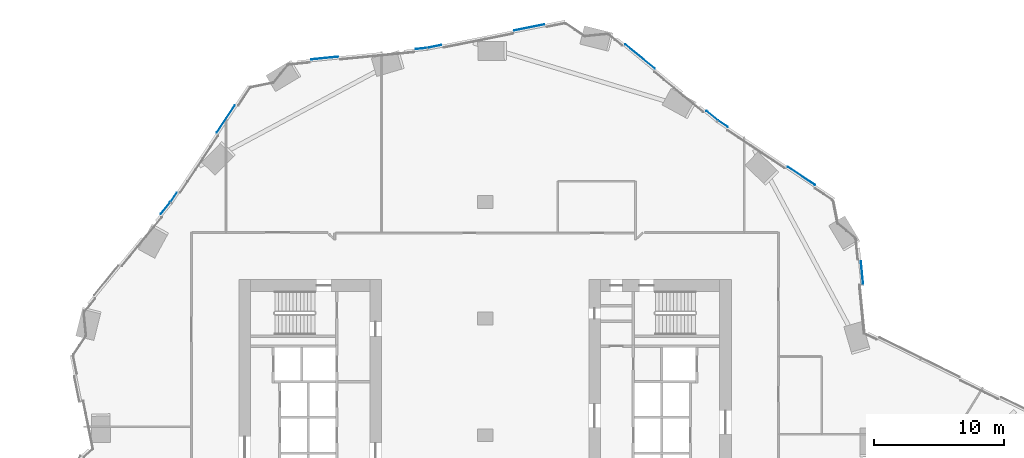
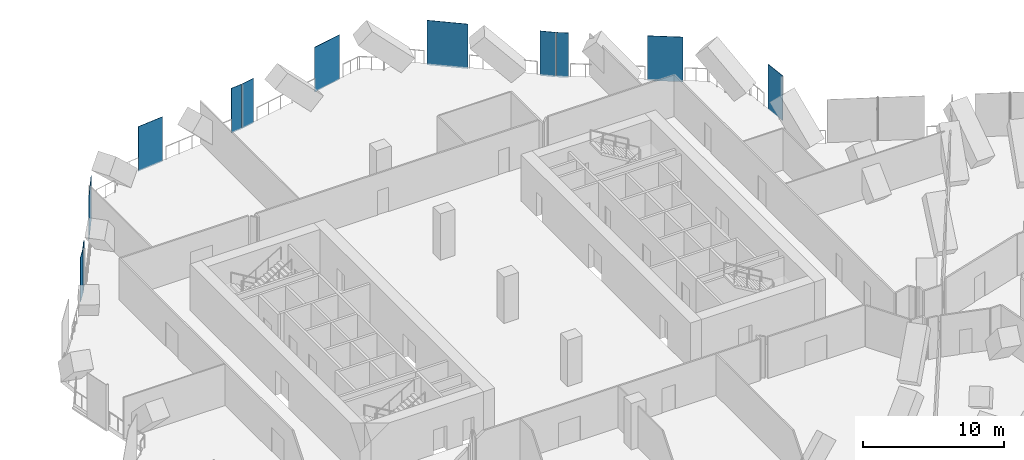
# One storey, part 20 of 31: 12 plates, 7 elements without a shape of their own.
"""IFC4 building model written with IfcOpenShell, lengths in metres."""

from ifc_helpers import new_model, si_unit, direction, frame, origin, origin_2d, place, context, subcontext, project, spatial, rectangle, extrude, material, layer, layer_set, type_object, element, aggregate, save


model = new_model("IFC4")

# Units and contexts
model_context = context("Model", 3, precision=1e-05, world=origin(), true_north=direction((0.0, 1.0)))
body_context = subcontext(model_context, "Body", "Model", "MODEL_VIEW")
ifc_project = project(units=[si_unit("LENGTHUNIT", "METRE"), si_unit("AREAUNIT", "SQUARE_METRE"), si_unit("VOLUMEUNIT", "CUBIC_METRE"), si_unit("PLANEANGLEUNIT", "RADIAN"), si_unit("MASSUNIT", "GRAM", prefix="KILO")], contexts=[model_context])

# Site, building, storey
site_placement = place(None, origin())
site = spatial("IfcSite", under=ifc_project, at=site_placement, CompositionType="ELEMENT")
building_placement = place(site_placement, origin())
building = spatial("IfcBuilding", under=site, at=building_placement, Name="Orlundy Tower", CompositionType="ELEMENT")
storey_placement = place(building_placement, frame((0.0, 0.0, 54.800048828125)))
storey = spatial("IfcBuildingStorey", under=building, at=storey_placement, Name="L12", CompositionType="ELEMENT", Elevation=54.800048828125)

# Curtain wall, plates
ifc_material_1 = material(Name="Aluminium bronze anodised", Category="aluminium")
curtain_wall_type = type_object("IfcCurtainWallType", Name="CW5 wall", PredefinedType="NOTDEFINED", material=ifc_material_1)
curtain_wall_1_placement = place(storey_placement, origin())
curtain_wall_1 = element("IfcCurtainWall", 1, at=curtain_wall_1_placement, inside=storey, type_object=curtain_wall_type, Name="CW5 run 017", PredefinedType="NOTDEFINED")
ifc_material_2 = material(Name="Tinted glass", Category="glass")
ifc_layer_1 = layer(ifc_material_2, 0.031982421875)
ifc_layer_set_1 = layer_set([ifc_layer_1], Name="CW5 glass panel 32")
plate_type_1 = type_object("IfcPlateType", Name="CW5 glass panel 32", PredefinedType="CURTAIN_PANEL", material=ifc_layer_set_1)
plate_1_placement = place(storey_placement, frame((-24.04150390625, 18.354248046875, -0.26025390625), z_axis=(0.0, 0.0, 1.0), x_axis=(0.554341811365, 0.832289106124, 0.0)))
plate_1 = element("IfcPlate", 2, at=plate_1_placement, type_object=plate_type_1, Name="CW5 panel", PredefinedType="CURTAIN_PANEL", context=body_context, shape_type="SweptSolid", body=[
    extrude(rectangle(XDim=0.8720703125, YDim=0.031982421875, at=origin_2d()), origin(), (0.0, 0.0, 1.0), 3.860107421875),
])
plate_2_placement = place(storey_placement, frame((-20.012451171875, 24.40380859375, -0.26025390625), z_axis=(0.0, 0.0, 1.0), x_axis=(0.554341811365, 0.832289106124, 0.0)))
plate_2 = element("IfcPlate", 3, at=plate_2_placement, type_object=plate_type_1, Name="CW5 panel", PredefinedType="CURTAIN_PANEL", context=body_context, shape_type="SweptSolid", body=[
    extrude(rectangle(XDim=2.5205078125, YDim=0.031982421875, at=origin_2d()), origin(), (0.0, 0.0, 1.0), 3.860107421875),
])
aggregate(curtain_wall_1, [plate_1, plate_2])

# Curtain wall, plate
curtain_wall_2_placement = place(storey_placement, origin())
curtain_wall_2 = element("IfcCurtainWall", 4, at=curtain_wall_2_placement, inside=storey, type_object=curtain_wall_type, Name="CW5 run 020", PredefinedType="NOTDEFINED")
plate_3_placement = place(storey_placement, frame((-12.382080078125, 29.103271484375, -0.26025390625), z_axis=(0.0, 0.0, 1.0), x_axis=(0.995113830934, 0.098734307532, 0.0)))
plate_3 = element("IfcPlate", 5, at=plate_3_placement, type_object=plate_type_1, Name="CW5 panel", PredefinedType="CURTAIN_PANEL", context=body_context, shape_type="SweptSolid", body=[
    extrude(rectangle(XDim=2.096435546875, YDim=0.031982421875, at=origin_2d()), origin(), (0.0, 0.0, 1.0), 3.860107421875),
])

# Curtain wall, plates
curtain_wall_3_placement = place(storey_placement, origin())
curtain_wall_3 = element("IfcCurtainWall", 6, at=curtain_wall_3_placement, inside=storey, type_object=curtain_wall_type, Name="CW5 run 021", PredefinedType="NOTDEFINED")
plate_4_placement = place(storey_placement, frame((-3.91162109375, 30.000244140625, -0.26025390625), z_axis=(0.0, 0.0, 1.0), x_axis=(0.980499771964, 0.196520220789, 0.0)))
plate_4 = element("IfcPlate", 7, at=plate_4_placement, type_object=plate_type_1, Name="CW5 panel", PredefinedType="CURTAIN_PANEL", context=body_context, shape_type="SweptSolid", body=[
    extrude(rectangle(XDim=1.089111328125, YDim=0.031982421875, at=origin_2d()), origin(), (0.0, 0.0, 1.0), 3.860107421875),
])
plate_5_placement = place(storey_placement, frame((3.415283203125, 31.46875, -0.26025390625), z_axis=(0.0, 0.0, 1.0), x_axis=(0.980499771964, 0.196520220789, 0.0)))
plate_5 = element("IfcPlate", 8, at=plate_5_placement, type_object=plate_type_1, Name="CW5 panel", PredefinedType="CURTAIN_PANEL", context=body_context, shape_type="SweptSolid", body=[
    extrude(rectangle(XDim=2.349853515625, YDim=0.031982421875, at=origin_2d()), origin(), (0.0, 0.0, 1.0), 3.860107421875),
])
aggregate(curtain_wall_3, [plate_4, plate_5])

# Curtain wall, plate
curtain_wall_4_placement = place(storey_placement, origin())
curtain_wall_4 = element("IfcCurtainWall", 9, at=curtain_wall_4_placement, inside=storey, type_object=curtain_wall_type, Name="CW5 run 024", PredefinedType="NOTDEFINED")
plate_6_placement = place(storey_placement, frame((11.9482421875, 29.232177734375, -0.26025390625), z_axis=(0.0, 0.0, 1.0), x_axis=(0.773472213694, -0.633830209633, 0.0)))
plate_6 = element("IfcPlate", 10, at=plate_6_placement, type_object=plate_type_1, Name="CW5 panel", PredefinedType="CURTAIN_PANEL", context=body_context, shape_type="SweptSolid", body=[
    extrude(rectangle(XDim=2.941650390625, YDim=0.031982421875, at=origin_2d()), origin(), (0.0, 0.0, 1.0), 3.860107421875),
])

# Curtain wall, plates
curtain_wall_5_placement = place(storey_placement, origin())
curtain_wall_5 = element("IfcCurtainWall", 11, at=curtain_wall_5_placement, inside=storey, type_object=curtain_wall_type, Name="CW5 run 025", PredefinedType="NOTDEFINED")
plate_7_placement = place(storey_placement, frame((18.354248046875, 24.04150390625, -0.26025390625), z_axis=(0.0, 0.0, 1.0), x_axis=(0.832289106124, -0.554341811365, 0.0)))
plate_7 = element("IfcPlate", 12, at=plate_7_placement, type_object=plate_type_1, Name="CW5 panel", PredefinedType="CURTAIN_PANEL", context=body_context, shape_type="SweptSolid", body=[
    extrude(rectangle(XDim=0.8720703125, YDim=0.031982421875, at=origin_2d()), origin(), (0.0, 0.0, 1.0), 3.860107421875),
])
plate_8_placement = place(storey_placement, frame((24.40380859375, 20.012451171875, -0.26025390625), z_axis=(0.0, 0.0, 1.0), x_axis=(0.832289106124, -0.554341811365, 0.0)))
plate_8 = element("IfcPlate", 13, at=plate_8_placement, type_object=plate_type_1, Name="CW5 panel", PredefinedType="CURTAIN_PANEL", context=body_context, shape_type="SweptSolid", body=[
    extrude(rectangle(XDim=2.5205078125, YDim=0.031982421875, at=origin_2d()), origin(), (0.0, 0.0, 1.0), 3.860107421875),
])
aggregate(curtain_wall_5, [plate_7, plate_8])

# Curtain wall, plate
curtain_wall_6_placement = place(storey_placement, origin())
curtain_wall_6 = element("IfcCurtainWall", 14, at=curtain_wall_6_placement, inside=storey, type_object=curtain_wall_type, Name="CW5 run 028", PredefinedType="NOTDEFINED")
plate_9_placement = place(storey_placement, frame((29.088623046875, 12.529541015625, -0.26025390625), z_axis=(0.0, 0.0, 1.0), x_axis=(0.098791841793, -0.995108120756, 0.0)))
plate_9 = element("IfcPlate", 15, at=plate_9_placement, type_object=plate_type_1, Name="CW5 panel", PredefinedType="CURTAIN_PANEL", context=body_context, shape_type="SweptSolid", body=[
    extrude(rectangle(XDim=1.800048828125, YDim=0.031982421875, at=origin_2d()), origin(), (0.0, 0.0, 1.0), 3.860107421875),
])
aggregate(curtain_wall_6, [plate_9])

curtain_wall_7_placement = place(storey_placement, origin())
curtain_wall_7 = element("IfcCurtainWall", 16, at=curtain_wall_7_placement, inside=storey, type_object=curtain_wall_type, Name="CW5 run 016", PredefinedType="NOTDEFINED")
ifc_material_3 = material(Name="Tinted glass", Category="glass")
ifc_layer_2 = layer(ifc_material_3, 0.031982421875)
ifc_layer_set_2 = layer_set([ifc_layer_2], Name="CW5 vent panel 32")
plate_type_2 = type_object("IfcPlateType", Name="CW5 vent panel 32", PredefinedType="CURTAIN_PANEL", material=ifc_layer_set_2)
plate_10_placement = place(storey_placement, frame((-24.671630859375, 17.513427734375, -0.26025390625), z_axis=(0.0, 0.0, 1.0), x_axis=(0.633830209633, 0.773472213694, 0.0)))
plate_10 = element("IfcPlate", 17, at=plate_10_placement, type_object=plate_type_2, Name="CW5 panel", PredefinedType="CURTAIN_PANEL", context=body_context, shape_type="SweptSolid", body=[
    extrude(rectangle(XDim=1.1318359375, YDim=0.031982421875, at=origin_2d()), origin(), (0.0, 0.0, 1.0), 3.860107421875),
])
aggregate(curtain_wall_7, [plate_10])

# Plate
plate_11_placement = place(storey_placement, frame((-4.92822265625, 29.8427734375, -0.26025390625), z_axis=(0.0, 0.0, 1.0), x_axis=(0.995113830934, 0.098734307532, 0.0)))
plate_11 = element("IfcPlate", 18, at=plate_11_placement, type_object=plate_type_2, Name="CW5 panel", PredefinedType="CURTAIN_PANEL", context=body_context, shape_type="SweptSolid", body=[
    extrude(rectangle(XDim=0.8701171875, YDim=0.031982421875, at=origin_2d()), origin(), (0.0, 0.0, 1.0), 3.860107421875),
])

aggregate(curtain_wall_2, [plate_3, plate_11])

plate_12_placement = place(storey_placement, frame((17.513427734375, 24.671630859375, -0.26025390625), z_axis=(0.0, 0.0, 1.0), x_axis=(0.773472213694, -0.633830209633, 0.0)))
plate_12 = element("IfcPlate", 19, at=plate_12_placement, type_object=plate_type_2, Name="CW5 panel", PredefinedType="CURTAIN_PANEL", context=body_context, shape_type="SweptSolid", body=[
    extrude(rectangle(XDim=1.1318359375, YDim=0.031982421875, at=origin_2d()), origin(), (0.0, 0.0, 1.0), 3.860107421875),
])

aggregate(curtain_wall_4, [plate_6, plate_12])

save(model, "model.ifc")
